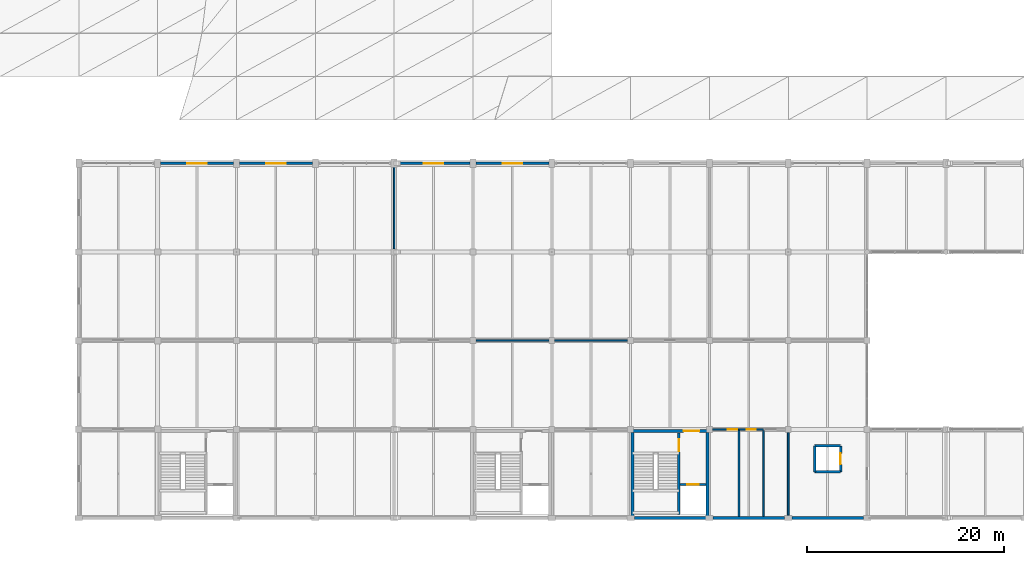
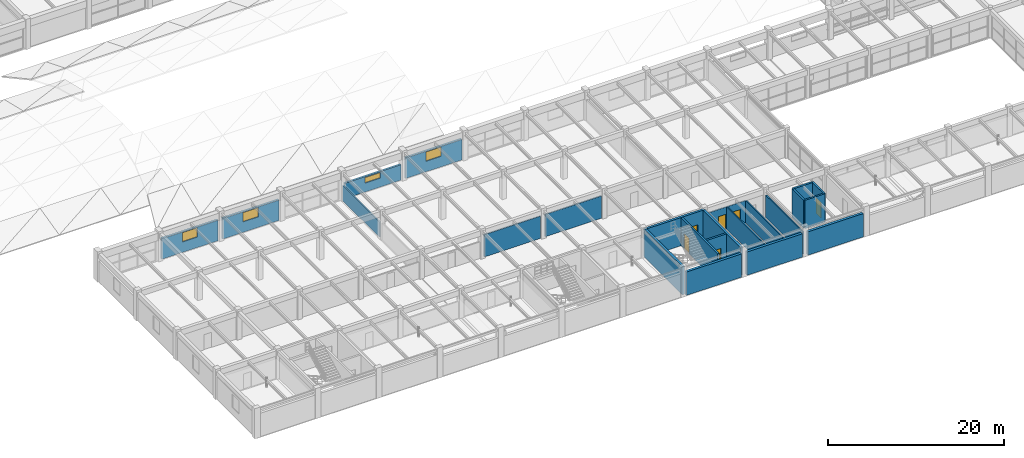
# One storey, part 97 of 126: 24 walls, 6 doors, 4 windows, 10 openings.
"""IFC4 building model written with IfcOpenShell, lengths in metres."""

from ifc_helpers import new_model, si_unit, direction, frame, frame_2d, origin, place, context, subcontext, project, spatial, rectangle, extrude, material, layer, layer_set, type_object, element, fill, save


model = new_model("IFC4")

# Units and contexts
model_context = context("Model", 3, precision=1e-05, world=origin(), true_north=direction((0.0, 1.0)))
body_context = subcontext(model_context, "Body", "Model", "MODEL_VIEW")
ifc_project = project(units=[si_unit("LENGTHUNIT", "METRE"), si_unit("AREAUNIT", "SQUARE_METRE"), si_unit("VOLUMEUNIT", "CUBIC_METRE"), si_unit("PLANEANGLEUNIT", "RADIAN"), si_unit("MASSUNIT", "GRAM", prefix="KILO")], contexts=[model_context])

# Site, building, storey
site_placement = place(None, origin())
site = spatial("IfcSite", under=ifc_project, at=site_placement, CompositionType="ELEMENT")
building_placement = place(site_placement, origin())
building = spatial("IfcBuilding", under=site, at=building_placement, Name="Varnabhumi Central Station", CompositionType="ELEMENT")
storey_placement = place(building_placement, frame((0.0, 0.0, 16.199951171875)))
storey = spatial("IfcBuildingStorey", under=building, at=storey_placement, Name="L03", CompositionType="ELEMENT", Elevation=16.199951171875)

# Walls
ifc_material_1 = material(Name="Concrete M40", Category="concrete")
ifc_layer_1 = layer(ifc_material_1, 0.300048828125, Name="Concrete M40", Category="concrete")
ifc_layer_set_1 = layer_set([ifc_layer_1], Name="Concrete M40")
wall_type_1 = type_object("IfcWallType", Name="WAL-CORE-RC-300", PredefinedType="SHEAR", material=ifc_layer_set_1)
for number, where, z_axis, x_axis, name in (
    (1, (88.179931640625, 0.179931640625, 0.0), (0.0, 0.0, 1.0), (0.0, 1.0, 0.0), "SC2 L03 West Shear Wall"),
    (2, (95.820068359375, 0.179931640625, 0.0), (0.0, 0.0, 1.0), (0.0, 1.0, 0.0), "SC2 L03 East Shear Wall"),
):
    element("IfcWall", number, at=place(storey_placement, frame(where, z_axis=z_axis, x_axis=x_axis)), inside=storey, type_object=wall_type_1, Name=name, PredefinedType="SHEAR", context=body_context, shape_type="SweptSolid", body=[
        extrude(rectangle(XDim=8.64013671875, YDim=0.300048828125, at=frame_2d((4.320068359375, 0.0))), origin(), (0.0, 0.0, 1.0), 3.920166015625),
    ])

# Wall, opening, door
wall_1_placement = place(storey_placement, frame((88.030029296875, 8.820068359375, 0.0), z_axis=(0.0, 0.0, 1.0), x_axis=(1.0, 0.0, 0.0)))
wall_1 = element("IfcWall", 3, at=wall_1_placement, inside=storey, type_object=wall_type_1, Name="SC2 L03 Corridor Shear Wall", PredefinedType="SHEAR", context=body_context, shape_type="SweptSolid", body=[
    extrude(rectangle(XDim=7.93994140625, YDim=0.300048828125, at=frame_2d((3.969970703125, 0.0))), origin(), (0.0, 0.0, 1.0), 3.920166015625),
])
opening_1_placement = place(wall_1_placement, frame((5.35009765625, 0.0, 0.0)))
opening_1 = element("IfcOpeningElement", 4, at=opening_1_placement, cuts=wall_1, Name="Opening FD-60D", PredefinedType="OPENING", context=body_context, shape_type="SweptSolid", body=[
    extrude(rectangle(XDim=1.60009765625, YDim=2.14990234375, at=frame_2d((0.800048828125, 1.074951171875))), frame((0.0, 0.159912109375, 0.0), z_axis=(0.0, -1.0, 0.0), x_axis=(1.0, 0.0, 0.0)), (0.0, 0.0, 1.0), 0.320068359375),
])
ifc_material_2 = material(Name="Intumescent-treated hardwood timber", Category="wood")
door_type_1 = type_object("IfcDoorType", Name="DR-FIRE-60-1600", OperationType="NOTDEFINED", PredefinedType="DOOR", material=ifc_material_2)
door_1_placement = place(opening_1_placement, origin())
door_1 = element("IfcDoor", 5, at=door_1_placement, inside=storey, type_object=door_type_1, Name="SC2 L03 Lobby Fire Door", OperationType="DOUBLE_DOOR_SINGLE_SWING", OverallHeight=2.14990234375, OverallWidth=1.60009765625, PredefinedType="DOOR", context=body_context, shape_type="SweptSolid", body=[
    extrude(rectangle(XDim=1.60009765625, YDim=2.14990234375, at=frame_2d((0.800048828125, 1.074951171875))), frame((0.0, 0.02490234375, 0.0), z_axis=(0.0, -1.0, 0.0), x_axis=(1.0, 0.0, 0.0)), (0.0, 0.0, 1.0), 0.050048828125),
])
fill(opening_1, door_1)

# Wall, opening, window
ifc_material_3 = material(Name="Autoclaved aerated blockwork masonry", Category="masonry")
ifc_layer_2 = layer(ifc_material_3, 0.260009765625, Name="Autoclaved aerated blockwork masonry", Category="masonry")
ifc_layer_set_2 = layer_set([ifc_layer_2], Name="Autoclaved aerated blockwork masonry")
wall_type_2 = type_object("IfcWallType", Name="WAL-EXT-STUCCO-260", PredefinedType="SOLIDWALL", material=ifc_layer_set_2)
wall_2_placement = place(storey_placement, frame((40.294921875, 36.0, 0.0), z_axis=(0.0, 0.0, 1.0), x_axis=(1.0, 0.0, 0.0)))
wall_2 = element("IfcWall", 6, at=wall_2_placement, inside=storey, type_object=wall_type_2, Name="South Spine Wall L03-2", PredefinedType="SOLIDWALL", context=body_context, shape_type="SweptSolid", body=[
    extrude(rectangle(XDim=7.41015625, YDim=0.260009765625, at=frame_2d((3.705078125, 0.0))), origin(), (0.0, 0.0, 1.0), 2.880126953125),
])
opening_2_placement = place(wall_2_placement, frame((2.705078125, 0.0, 1.449951171875)))
opening_2 = element("IfcOpeningElement", 7, at=opening_2_placement, cuts=wall_2, Name="Opening W-06", PredefinedType="OPENING", context=body_context, shape_type="SweptSolid", body=[
    extrude(rectangle(XDim=2.0, YDim=1.2900390625, at=frame_2d((1.0, 0.64501953125))), frame((0.0, 0.139892578125, 0.0), z_axis=(0.0, -1.0, 0.0), x_axis=(1.0, 0.0, 0.0)), (0.0, 0.0, 1.0), 0.280029296875),
])
ifc_material_4 = material(Name="Laminated low-E double glazing", Category="glass")
window_type = type_object("IfcWindowType", Name="WIN-OPS-2000x1900", PartitioningType="DOUBLE_PANEL_VERTICAL", PredefinedType="WINDOW", material=ifc_material_4)
window_1_placement = place(opening_2_placement, origin())
window_1 = element("IfcWindow", 8, at=window_1_placement, inside=storey, type_object=window_type, Name="South Spine Overlook Window L03-2", OverallHeight=1.2900390625, OverallWidth=2.0, PartitioningType="SINGLE_PANEL", PredefinedType="WINDOW", context=body_context, shape_type="SweptSolid", body=[
    extrude(rectangle(XDim=2.0, YDim=1.2900390625, at=frame_2d((1.0, 0.64501953125))), frame((0.0, 0.030029296875, 0.0), z_axis=(0.0, -1.0, 0.0), x_axis=(1.0, 0.0, 0.0)), (0.0, 0.0, 1.0), 0.06005859375),
])
fill(opening_2, window_1)

wall_3_placement = place(storey_placement, frame((48.294921875, 36.0, 0.0), z_axis=(0.0, 0.0, 1.0), x_axis=(1.0, 0.0, 0.0)))
wall_3 = element("IfcWall", 9, at=wall_3_placement, inside=storey, type_object=wall_type_2, Name="South Spine Wall L03-3", PredefinedType="SOLIDWALL", context=body_context, shape_type="SweptSolid", body=[
    extrude(rectangle(XDim=7.41015625, YDim=0.260009765625, at=frame_2d((3.705078125, 0.0))), origin(), (0.0, 0.0, 1.0), 2.880126953125),
])
opening_3_placement = place(wall_3_placement, frame((2.705078125, 0.0, 1.449951171875)))
opening_3 = element("IfcOpeningElement", 10, at=opening_3_placement, cuts=wall_3, Name="Opening W-06", PredefinedType="OPENING", context=body_context, shape_type="SweptSolid", body=[
    extrude(rectangle(XDim=2.0, YDim=1.2900390625, at=frame_2d((1.0, 0.64501953125))), frame((0.0, 0.139892578125, 0.0), z_axis=(0.0, -1.0, 0.0), x_axis=(1.0, 0.0, 0.0)), (0.0, 0.0, 1.0), 0.280029296875),
])
window_2_placement = place(opening_3_placement, origin())
window_2 = element("IfcWindow", 11, at=window_2_placement, inside=storey, type_object=window_type, Name="South Spine Overlook Window L03-3", OverallHeight=1.2900390625, OverallWidth=2.0, PartitioningType="SINGLE_PANEL", PredefinedType="WINDOW", context=body_context, shape_type="SweptSolid", body=[
    extrude(rectangle(XDim=2.0, YDim=1.2900390625, at=frame_2d((1.0, 0.64501953125))), frame((0.0, 0.030029296875, 0.0), z_axis=(0.0, -1.0, 0.0), x_axis=(1.0, 0.0, 0.0)), (0.0, 0.0, 1.0), 0.06005859375),
])
fill(opening_3, window_2)

wall_4_placement = place(storey_placement, frame((64.294921875, 36.0, 0.0), z_axis=(0.0, 0.0, 1.0), x_axis=(1.0, 0.0, 0.0)))
wall_4 = element("IfcWall", 12, at=wall_4_placement, inside=storey, type_object=wall_type_2, Name="South Spine Wall L03-5", PredefinedType="SOLIDWALL", context=body_context, shape_type="SweptSolid", body=[
    extrude(rectangle(XDim=7.41015625, YDim=0.260009765625, at=frame_2d((3.705078125, 0.0))), origin(), (0.0, 0.0, 1.0), 2.1201171875),
])
opening_4_placement = place(wall_4_placement, frame((2.705078125, 0.0, 1.22998046875)))
opening_4 = element("IfcOpeningElement", 13, at=opening_4_placement, cuts=wall_4, Name="Opening W-06", PredefinedType="OPENING", context=body_context, shape_type="SweptSolid", body=[
    extrude(rectangle(XDim=2.0, YDim=0.75, at=frame_2d((1.0, 0.375))), frame((0.0, 0.139892578125, 0.0), z_axis=(0.0, -1.0, 0.0), x_axis=(1.0, 0.0, 0.0)), (0.0, 0.0, 1.0), 0.280029296875),
])
window_3_placement = place(opening_4_placement, origin())
window_3 = element("IfcWindow", 14, at=window_3_placement, inside=storey, type_object=window_type, Name="South Spine Overlook Window L03-5", OverallHeight=0.75, OverallWidth=2.0, PartitioningType="SINGLE_PANEL", PredefinedType="WINDOW", context=body_context, shape_type="SweptSolid", body=[
    extrude(rectangle(XDim=2.0, YDim=0.75, at=frame_2d((1.0, 0.375))), frame((0.0, 0.030029296875, 0.0), z_axis=(0.0, -1.0, 0.0), x_axis=(1.0, 0.0, 0.0)), (0.0, 0.0, 1.0), 0.06005859375),
])
fill(opening_4, window_3)

wall_5_placement = place(storey_placement, frame((72.294921875, 36.0, 0.0), z_axis=(0.0, 0.0, 1.0), x_axis=(1.0, 0.0, 0.0)))
wall_5 = element("IfcWall", 15, at=wall_5_placement, inside=storey, type_object=wall_type_2, Name="South Spine Wall L03-6", PredefinedType="SOLIDWALL", context=body_context, shape_type="SweptSolid", body=[
    extrude(rectangle(XDim=7.41015625, YDim=0.260009765625, at=frame_2d((3.705078125, 0.0))), origin(), (0.0, 0.0, 1.0), 2.880126953125),
])
opening_5_placement = place(wall_5_placement, frame((2.705078125, 0.0, 1.449951171875)))
opening_5 = element("IfcOpeningElement", 16, at=opening_5_placement, cuts=wall_5, Name="Opening W-06", PredefinedType="OPENING", context=body_context, shape_type="SweptSolid", body=[
    extrude(rectangle(XDim=2.0, YDim=1.2900390625, at=frame_2d((1.0, 0.64501953125))), frame((0.0, 0.139892578125, 0.0), z_axis=(0.0, -1.0, 0.0), x_axis=(1.0, 0.0, 0.0)), (0.0, 0.0, 1.0), 0.280029296875),
])
window_4_placement = place(opening_5_placement, origin())
window_4 = element("IfcWindow", 17, at=window_4_placement, inside=storey, type_object=window_type, Name="South Spine Overlook Window L03-6", OverallHeight=1.2900390625, OverallWidth=2.0, PartitioningType="SINGLE_PANEL", PredefinedType="WINDOW", context=body_context, shape_type="SweptSolid", body=[
    extrude(rectangle(XDim=2.0, YDim=1.2900390625, at=frame_2d((1.0, 0.64501953125))), frame((0.0, 0.030029296875, 0.0), z_axis=(0.0, -1.0, 0.0), x_axis=(1.0, 0.0, 0.0)), (0.0, 0.0, 1.0), 0.06005859375),
])
fill(opening_5, window_4)

# Walls
ifc_layer_3 = layer(ifc_material_3, 0.159912109375, Name="Autoclaved aerated blockwork masonry", Category="masonry")
ifc_layer_set_3 = layer_set([ifc_layer_3], Name="Autoclaved aerated blockwork masonry")
wall_type_3 = type_object("IfcWallType", Name="WAL-PART-AAC-160", PredefinedType="PARTITIONING", material=ifc_layer_set_3)
wall_6_placement = place(storey_placement, frame((64.0, 27.300048828125, 0.0), z_axis=(0.0, 0.0, 1.0), x_axis=(0.0, 1.0, 0.0)))
element("IfcWall", 18, at=wall_6_placement, inside=storey, type_object=wall_type_3, Name="Station Master Panel Cabin and SM-OCIP W Partition 2", PredefinedType="PARTITIONING", context=body_context, shape_type="SweptSolid", body=[
    extrude(rectangle(XDim=8.39990234375, YDim=0.159912109375, at=frame_2d((4.199951171875, 0.0))), origin(), (0.0, 0.0, 1.0), 2.1201171875),
])
for number, where, z_axis, x_axis, name in (
    (19, (72.300048828125, 18.0, 0.0), (0.0, 0.0, 1.0), (1.0, 0.0, 0.0), "Station Control Room Corridor Partition 2"),
    (20, (80.300048828125, 18.0, 0.0), (0.0, 0.0, 1.0), (1.0, 0.0, 0.0), "Station Control Room Corridor Partition 3"),
):
    element("IfcWall", number, at=place(storey_placement, frame(where, z_axis=z_axis, x_axis=x_axis)), inside=storey, type_object=wall_type_3, Name=name, PredefinedType="PARTITIONING", context=body_context, shape_type="SweptSolid", body=[
        extrude(rectangle(XDim=7.39990234375, YDim=0.159912109375, at=frame_2d((3.699951171875, 0.0))), origin(), (0.0, 0.0, 1.0), 3.10009765625),
    ])

# Wall, opening, door
wall_7_placement = place(storey_placement, frame((96.300048828125, 9.0, 0.0), z_axis=(0.0, 0.0, 1.0), x_axis=(1.0, 0.0, 0.0)))
wall_7 = element("IfcWall", 21, at=wall_7_placement, inside=storey, type_object=wall_type_3, Name="Staff Male WC L03 South Corridor Partition 1", PredefinedType="PARTITIONING", context=body_context, shape_type="SweptSolid", body=[
    extrude(rectangle(XDim=2.699951171875, YDim=0.159912109375, at=frame_2d((1.35009765625, 0.0))), origin(), (0.0, 0.0, 1.0), 3.10009765625),
])
opening_6_placement = place(wall_7_placement, frame((1.550048828125, 0.0, 0.0)))
opening_6 = element("IfcOpeningElement", 22, at=opening_6_placement, cuts=wall_7, Name="Opening D-04", PredefinedType="OPENING", context=body_context, shape_type="SweptSolid", body=[
    extrude(rectangle(XDim=0.949951171875, YDim=2.10009765625, at=frame_2d((0.47509765625, 1.050048828125))), frame((0.0, 0.08984375, 0.0), z_axis=(0.0, -1.0, 0.0), x_axis=(1.0, 0.0, 0.0)), (0.0, 0.0, 1.0), 0.179931640625),
])
door_type_2 = type_object("IfcDoorType", Name="DR-WC-950", OperationType="NOTDEFINED", PredefinedType="DOOR", material=ifc_material_2)
door_2_placement = place(opening_6_placement, origin())
door_2 = element("IfcDoor", 23, at=door_2_placement, inside=storey, type_object=door_type_2, Name="Staff Male WC L03 South Door 1", OperationType="SINGLE_SWING_RIGHT", OverallHeight=2.10009765625, OverallWidth=0.949951171875, PredefinedType="DOOR", context=body_context, shape_type="SweptSolid", body=[
    extrude(rectangle(XDim=0.949951171875, YDim=2.10009765625, at=frame_2d((0.47509765625, 1.050048828125))), frame((0.0, 0.02490234375, 0.0), z_axis=(0.0, -1.0, 0.0), x_axis=(1.0, 0.0, 0.0)), (0.0, 0.0, 1.0), 0.050048828125),
])
fill(opening_6, door_2)

# Wall
wall_8_placement = place(storey_placement, frame((99.0, 0.159912109375, 0.0), z_axis=(0.0, 0.0, 1.0), x_axis=(0.0, 1.0, 0.0)))
element("IfcWall", 24, at=wall_8_placement, inside=storey, type_object=wall_type_3, Name="Staff Male WC L03 South W Partition 1", PredefinedType="PARTITIONING", context=body_context, shape_type="SweptSolid", body=[
    extrude(rectangle(XDim=8.760009765625, YDim=0.159912109375, at=frame_2d((4.3798828125, 0.0))), origin(), (0.0, 0.0, 1.0), 3.10009765625),
])

# Wall, opening, door
wall_9_placement = place(storey_placement, frame((99.0, 9.0, 0.0), z_axis=(0.0, 0.0, 1.0), x_axis=(1.0, 0.0, 0.0)))
wall_9 = element("IfcWall", 25, at=wall_9_placement, inside=storey, type_object=wall_type_3, Name="Staff Female WC L03 South Corridor Partition 1", PredefinedType="PARTITIONING", context=body_context, shape_type="SweptSolid", body=[
    extrude(rectangle(XDim=2.5, YDim=0.159912109375, at=frame_2d((1.25, 0.0))), origin(), (0.0, 0.0, 1.0), 3.10009765625),
])
opening_7_placement = place(wall_9_placement, frame((0.77490234375, 0.0, 0.0)))
opening_7 = element("IfcOpeningElement", 26, at=opening_7_placement, cuts=wall_9, Name="Opening D-04", PredefinedType="OPENING", context=body_context, shape_type="SweptSolid", body=[
    extrude(rectangle(XDim=0.949951171875, YDim=2.10009765625, at=frame_2d((0.47509765625, 1.050048828125))), frame((0.0, 0.08984375, 0.0), z_axis=(0.0, -1.0, 0.0), x_axis=(1.0, 0.0, 0.0)), (0.0, 0.0, 1.0), 0.179931640625),
])
door_3_placement = place(opening_7_placement, origin())
door_3 = element("IfcDoor", 27, at=door_3_placement, inside=storey, type_object=door_type_2, Name="Staff Female WC L03 South Door 1", OperationType="SINGLE_SWING_LEFT", OverallHeight=2.10009765625, OverallWidth=0.949951171875, PredefinedType="DOOR", context=body_context, shape_type="SweptSolid", body=[
    extrude(rectangle(XDim=0.949951171875, YDim=2.10009765625, at=frame_2d((0.47509765625, 1.050048828125))), frame((0.0, 0.02490234375, 0.0), z_axis=(0.0, -1.0, 0.0), x_axis=(1.0, 0.0, 0.0)), (0.0, 0.0, 1.0), 0.050048828125),
])
fill(opening_7, door_3)

# Walls
wall_10_placement = place(storey_placement, frame((101.5, 0.159912109375, 0.0), z_axis=(0.0, 0.0, 1.0), x_axis=(0.0, 1.0, 0.0)))
element("IfcWall", 28, at=wall_10_placement, inside=storey, type_object=wall_type_3, Name="Staff Female WC L03 South W Partition 1", PredefinedType="PARTITIONING", context=body_context, shape_type="SweptSolid", body=[
    extrude(rectangle(XDim=8.760009765625, YDim=0.159912109375, at=frame_2d((4.3798828125, 0.0))), origin(), (0.0, 0.0, 1.0), 3.10009765625),
])
wall_11_placement = place(storey_placement, frame((104.0, 0.300048828125, 0.0), z_axis=(0.0, 0.0, 1.0), x_axis=(0.0, 1.0, 0.0)))
element("IfcWall", 29, at=wall_11_placement, inside=storey, type_object=wall_type_3, Name="Accessible WC L03 South W Partition 1", PredefinedType="PARTITIONING", context=body_context, shape_type="SweptSolid", body=[
    extrude(rectangle(XDim=8.39990234375, YDim=0.159912109375, at=frame_2d((4.199951171875, 0.0))), origin(), (0.0, 0.0, 1.0), 3.10009765625),
])

# Wall, opening, door
ifc_layer_4 = layer(ifc_material_1, 0.239990234375, Name="Concrete M40", Category="concrete")
ifc_layer_set_4 = layer_set([ifc_layer_4], Name="Concrete M40")
wall_type_4 = type_object("IfcWallType", Name="WAL-SHAFT-RC-240", PredefinedType="SHEAR", material=ifc_layer_set_4)
wall_12_placement = place(storey_placement, frame((92.89990234375, 0.35009765625, 0.0), z_axis=(0.0, 0.0, 1.0), x_axis=(0.0, 1.0, 0.0)))
wall_12 = element("IfcWall", 30, at=wall_12_placement, inside=storey, type_object=wall_type_4, Name="SC2 L03 Stair-Lobby Divider Wall", PredefinedType="SHEAR", context=body_context, shape_type="SweptSolid", body=[
    extrude(rectangle(XDim=8.2998046875, YDim=0.239990234375, at=frame_2d((4.14990234375, 0.0))), origin(), (0.0, 0.0, 1.0), 3.920166015625),
])
opening_8_placement = place(wall_12_placement, frame((6.449951171875, 0.0, 0.0)))
opening_8 = element("IfcOpeningElement", 31, at=opening_8_placement, cuts=wall_12, Name="Opening FD-120", PredefinedType="OPENING", context=body_context, shape_type="SweptSolid", body=[
    extrude(rectangle(XDim=1.199951171875, YDim=2.14990234375, at=frame_2d((0.60009765625, 1.074951171875))), frame((0.0, 0.1298828125, 0.0), z_axis=(0.0, -1.0, 0.0), x_axis=(1.0, 0.0, 0.0)), (0.0, 0.0, 1.0), 0.260009765625),
])
ifc_material_5 = material(Name="Stainless steel Grade 316", Category="steel")
door_type_3 = type_object("IfcDoorType", Name="DR-FIRE-120-1200", OperationType="NOTDEFINED", PredefinedType="DOOR", material=ifc_material_5)
door_4_placement = place(opening_8_placement, origin())
door_4 = element("IfcDoor", 32, at=door_4_placement, inside=storey, type_object=door_type_3, Name="ST-S2 L03 Fire Door", OperationType="SINGLE_SWING_RIGHT", OverallHeight=2.14990234375, OverallWidth=1.199951171875, PredefinedType="DOOR", context=body_context, shape_type="SweptSolid", body=[
    extrude(rectangle(XDim=1.199951171875, YDim=2.14990234375, at=frame_2d((0.60009765625, 1.074951171875))), frame((0.0, 0.02490234375, 0.0), z_axis=(0.0, -1.0, 0.0), x_axis=(1.0, 0.0, 0.0)), (0.0, 0.0, 1.0), 0.050048828125),
])
fill(opening_8, door_4)

wall_13_placement = place(storey_placement, frame((93.02001953125, 3.39990234375, 0.0), z_axis=(0.0, 0.0, 1.0), x_axis=(1.0, 0.0, 0.0)))
wall_13 = element("IfcWall", 33, at=wall_13_placement, inside=storey, type_object=wall_type_4, Name="FL-2 L03 Lift Shaft Front Wall", PredefinedType="SHEAR", context=body_context, shape_type="SweptSolid", body=[
    extrude(rectangle(XDim=2.6298828125, YDim=0.239990234375, at=frame_2d((1.31494140625, 0.0))), origin(), (0.0, 0.0, 1.0), 3.920166015625),
])
opening_9_placement = place(wall_13_placement, frame((0.715087890625, 0.0, 0.0)))
opening_9 = element("IfcOpeningElement", 34, at=opening_9_placement, cuts=wall_13, Name="Opening LD-FL-2", PredefinedType="OPENING", context=body_context, shape_type="SweptSolid", body=[
    extrude(rectangle(XDim=1.199951171875, YDim=2.14990234375, at=frame_2d((0.60009765625, 1.074951171875))), frame((0.0, 0.1298828125, 0.0), z_axis=(0.0, -1.0, 0.0), x_axis=(1.0, 0.0, 0.0)), (0.0, 0.0, 1.0), 0.260009765625),
])
door_type_4 = type_object("IfcDoorType", Name="DR-LIFT-FIRE-1200", OperationType="NOTDEFINED", PredefinedType="DOOR", material=ifc_material_5)
door_5_placement = place(opening_9_placement, origin())
door_5 = element("IfcDoor", 35, at=door_5_placement, inside=storey, type_object=door_type_4, Name="Lift Landing Door FL-2 L03", OperationType="DOUBLE_DOOR_SLIDING", OverallHeight=2.14990234375, OverallWidth=1.199951171875, PredefinedType="DOOR", context=body_context, shape_type="SweptSolid", body=[
    extrude(rectangle(XDim=1.199951171875, YDim=2.14990234375, at=frame_2d((0.60009765625, 1.074951171875))), frame((0.0, 0.02490234375, 0.0), z_axis=(0.0, -1.0, 0.0), x_axis=(1.0, 0.0, 0.0)), (0.0, 0.0, 1.0), 0.050048828125),
])
fill(opening_9, door_5)

# Walls
for number, where, z_axis, x_axis, name in (
    (36, (106.679931640625, 4.679931640625, 0.0), (0.0, 0.0, 1.0), (0.0, 1.0, 0.0), "PL-8 L03 Shaft West Wall"),
    (37, (106.679931640625, 4.679931640625, 0.0), (0.0, 0.0, 1.0), (1.0, 0.0, 0.0), "PL-8 L03 Shaft South Wall"),
    (38, (106.679931640625, 7.320068359375, 0.0), (0.0, 0.0, 1.0), (1.0, 0.0, 0.0), "PL-8 L03 Shaft North Wall"),
):
    element("IfcWall", number, at=place(storey_placement, frame(where, z_axis=z_axis, x_axis=x_axis)), inside=storey, type_object=wall_type_4, Name=name, PredefinedType="SHEAR", context=body_context, shape_type="SweptSolid", body=[
        extrude(rectangle(XDim=2.64013671875, YDim=0.239990234375, at=frame_2d((1.320068359375, 0.0))), origin(), (0.0, 0.0, 1.0), 3.920166015625),
    ])

# Wall, opening, door
wall_14_placement = place(storey_placement, frame((109.320068359375, 4.679931640625, 0.0), z_axis=(0.0, 0.0, 1.0), x_axis=(0.0, 1.0, 0.0)))
wall_14 = element("IfcWall", 39, at=wall_14_placement, inside=storey, type_object=wall_type_4, Name="PL-8 L03 Shaft Front Wall", PredefinedType="SHEAR", context=body_context, shape_type="SweptSolid", body=[
    extrude(rectangle(XDim=2.64013671875, YDim=0.239990234375, at=frame_2d((1.320068359375, 0.0))), origin(), (0.0, 0.0, 1.0), 3.920166015625),
])
opening_10_placement = place(wall_14_placement, frame((0.77001953125, 0.0, 0.0)))
opening_10 = element("IfcOpeningElement", 40, at=opening_10_placement, cuts=wall_14, Name="Opening LD-PL-8", PredefinedType="OPENING", context=body_context, shape_type="SweptSolid", body=[
    extrude(rectangle(XDim=1.10009765625, YDim=2.14990234375, at=frame_2d((0.550048828125, 1.074951171875))), frame((0.0, 0.1298828125, 0.0), z_axis=(0.0, -1.0, 0.0), x_axis=(1.0, 0.0, 0.0)), (0.0, 0.0, 1.0), 0.260009765625),
])
door_type_5 = type_object("IfcDoorType", Name="DR-LIFT-PASS-1100", OperationType="NOTDEFINED", PredefinedType="DOOR", material=ifc_material_5)
door_6_placement = place(opening_10_placement, origin())
door_6 = element("IfcDoor", 41, at=door_6_placement, inside=storey, type_object=door_type_5, Name="Lift Landing Door PL-8 L03", OperationType="DOUBLE_DOOR_SLIDING", OverallHeight=2.14990234375, OverallWidth=1.10009765625, PredefinedType="DOOR", context=body_context, shape_type="SweptSolid", body=[
    extrude(rectangle(XDim=1.10009765625, YDim=2.14990234375, at=frame_2d((0.550048828125, 1.074951171875))), frame((0.0, 0.02490234375, 0.0), z_axis=(0.0, -1.0, 0.0), x_axis=(1.0, 0.0, 0.0)), (0.0, 0.0, 1.0), 0.050048828125),
])
fill(opening_10, door_6)

# Walls
ifc_layer_5 = layer(ifc_material_1, 0.340087890625, Name="Concrete M40", Category="concrete")
ifc_layer_set_5 = layer_set([ifc_layer_5], Name="Concrete M40")
wall_type_5 = type_object("IfcWallType", Name="WAL-SOUTH-FIRE-340", PredefinedType="SOLIDWALL", material=ifc_layer_set_5)
for number, where, z_axis, x_axis, name in (
    (42, (88.3701171875, 0.0, 0.0), (0.0, 0.0, 1.0), (1.0, 0.0, 0.0), "South Infill Boundary Fire Wall L03-8"),
    (43, (96.3701171875, 0.0, 0.0), (0.0, 0.0, 1.0), (1.0, 0.0, 0.0), "South Infill Boundary Fire Wall L03-9"),
    (44, (104.3701171875, 0.0, 0.0), (0.0, 0.0, 1.0), (1.0, 0.0, 0.0), "South Infill Boundary Fire Wall L03-10"),
):
    element("IfcWall", number, at=place(storey_placement, frame(where, z_axis=z_axis, x_axis=x_axis)), inside=storey, type_object=wall_type_5, Name=name, PredefinedType="SOLIDWALL", context=body_context, shape_type="SweptSolid", body=[
        extrude(rectangle(XDim=7.259765625, YDim=0.340087890625, at=frame_2d((3.6298828125, 0.0))), origin(), (0.0, 0.0, 1.0), 3.239990234375),
    ])

save(model, "model.ifc")
